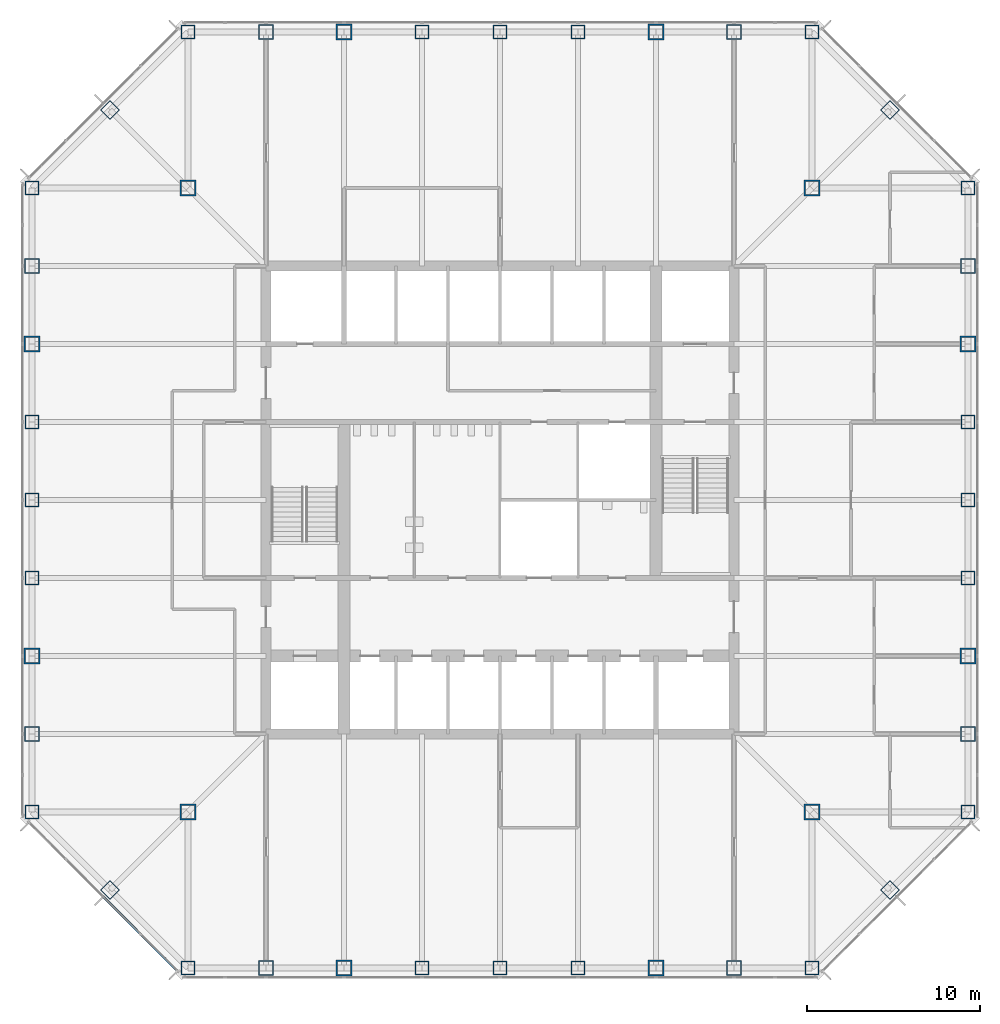
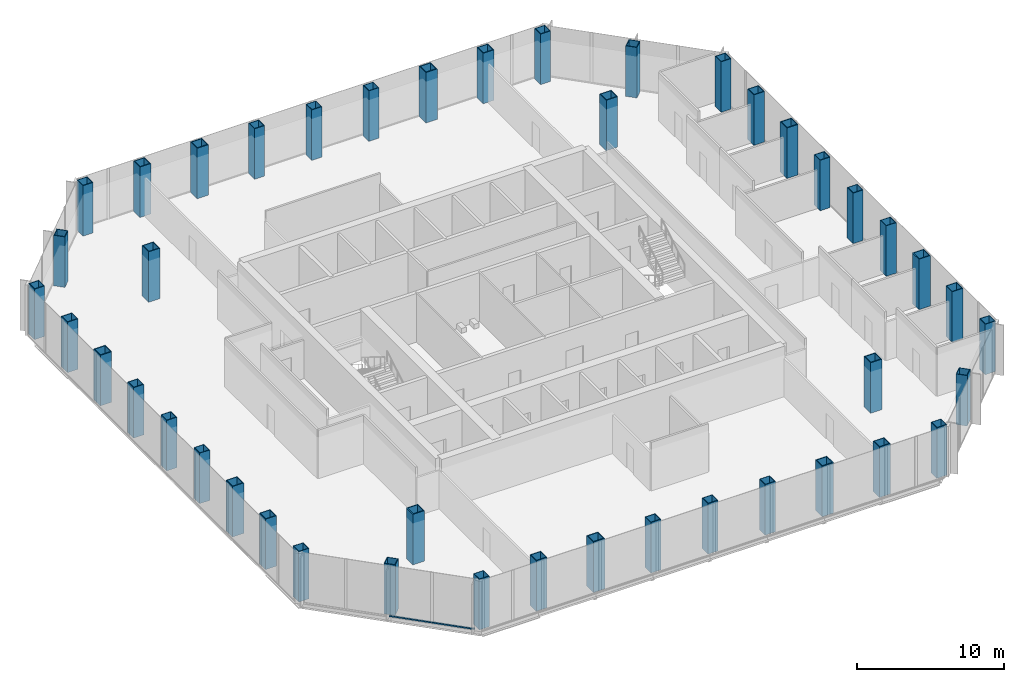
# One storey, part 1 of 12: 44 columns, 2 members, 1 element without a shape of its own.
"""IFC4 building model written with IfcOpenShell, lengths in metres."""

from ifc_helpers import new_model, si_unit, direction, frame, origin, origin_2d, place, context, subcontext, project, spatial, rectangle, hollow_rectangle, extrude, material, material_profile, profile_set, type_object, element, aggregate, save


model = new_model("IFC4")

# Units and contexts
model_context = context("Model", 3, precision=1e-05, world=origin(), true_north=direction((0.0, 1.0)))
body_context = subcontext(model_context, "Body", "Model", "MODEL_VIEW")
ifc_project = project(units=[si_unit("LENGTHUNIT", "METRE"), si_unit("AREAUNIT", "SQUARE_METRE"), si_unit("VOLUMEUNIT", "CUBIC_METRE"), si_unit("PLANEANGLEUNIT", "RADIAN"), si_unit("MASSUNIT", "GRAM", prefix="KILO")], contexts=[model_context])

# Site, building, storey
site_placement = place(None, origin())
site = spatial("IfcSite", under=ifc_project, at=site_placement, CompositionType="ELEMENT")
building_placement = place(site_placement, origin())
building = spatial("IfcBuilding", under=site, at=building_placement, Name="Corais Broadcast Tower", CompositionType="ELEMENT")
storey_placement = place(building_placement, frame((0.0, 0.0, 75.199951171875)))
storey = spatial("IfcBuildingStorey", under=building, at=storey_placement, Name="L16", CompositionType="ELEMENT", Elevation=75.199951171875)

# Columns
ifc_material_1 = material(Name="Steel ASTM A572 Grade 50", Category="steel")
ifc_material_profile_1 = material_profile(ifc_material_1, hollow_rectangle(XDim=0.800048828125, YDim=0.800048828125, WallThickness=0.044921875, at=origin_2d()), Name="BOX 800x800x45")
ifc_profile_set_1 = profile_set([ifc_material_profile_1], Name="Steel ASTM A572 Grade 50")
column_type_1 = type_object("IfcColumnType", Name="Column BOX 800x800x45", PredefinedType="COLUMN", material=ifc_profile_set_1)
for number, where, z_axis, x_axis, name in (
    (1, (9.0, 0.0, 0.0), (0.0, 0.0, 1.0), (1.0, 0.0, 0.0), "C3 A/5"),
    (2, (22.5, 0.0, 0.0), (0.0, 0.0, 1.0), (1.0, 0.0, 0.0), "C3 A/8"),
    (3, (27.0, 0.0, 0.0), (0.0, 0.0, 1.0), (1.0, 0.0, 0.0), "C3 A/9"),
    (4, (31.5, 0.0, 0.0), (0.0, 0.0, 1.0), (1.0, 0.0, 0.0), "C3 A/10"),
    (5, (45.0, 0.0, 0.0), (0.0, 0.0, 1.0), (1.0, 0.0, 0.0), "C3 A/13"),
    (6, (54.0, 9.0, 0.0), (0.0, 0.0, 1.0), (1.0, 0.0, 0.0), "C3 C/15"),
    (7, (54.0, 22.5, 0.0), (0.0, 0.0, 1.0), (1.0, 0.0, 0.0), "C3 F/15"),
    (8, (54.0, 27.0, 0.0), (0.0, 0.0, 1.0), (1.0, 0.0, 0.0), "C3 G/15"),
    (9, (54.0, 31.5, 0.0), (0.0, 0.0, 1.0), (1.0, 0.0, 0.0), "C3 H/15"),
    (10, (54.0, 45.0, 0.0), (0.0, 0.0, 1.0), (1.0, 0.0, 0.0), "C3 L/15"),
    (11, (45.0, 54.0, 0.0), (0.0, 0.0, 1.0), (1.0, 0.0, 0.0), "C3 N/13"),
    (12, (31.5, 54.0, 0.0), (0.0, 0.0, 1.0), (1.0, 0.0, 0.0), "C3 N/10"),
    (13, (27.0, 54.0, 0.0), (0.0, 0.0, 1.0), (1.0, 0.0, 0.0), "C3 N/9"),
    (14, (22.5, 54.0, 0.0), (0.0, 0.0, 1.0), (1.0, 0.0, 0.0), "C3 N/8"),
    (15, (9.0, 54.0, 0.0), (0.0, 0.0, 1.0), (1.0, 0.0, 0.0), "C3 N/5"),
    (16, (0.0, 45.0, 0.0), (0.0, 0.0, 1.0), (1.0, 0.0, 0.0), "C3 L/3"),
    (17, (0.0, 31.5, 0.0), (0.0, 0.0, 1.0), (1.0, 0.0, 0.0), "C3 H/3"),
    (18, (0.0, 27.0, 0.0), (0.0, 0.0, 1.0), (1.0, 0.0, 0.0), "C3 G/3"),
    (19, (0.0, 22.5, 0.0), (0.0, 0.0, 1.0), (1.0, 0.0, 0.0), "C3 F/3"),
    (20, (0.0, 9.0, 0.0), (0.0, 0.0, 1.0), (1.0, 0.0, 0.0), "C3 C/3"),
    (21, (4.5, 4.5, 0.0), (0.0, 0.0, 1.0), (0.707106781187, 0.707106781187, 0.0), "C3 B/4"),
    (22, (49.5, 4.5, 0.0), (0.0, 0.0, 1.0), (0.707106781187, 0.707106781187, 0.0), "C3 B/14"),
    (23, (49.5, 49.5, 0.0), (0.0, 0.0, 1.0), (0.707106781187, 0.707106781187, 0.0), "C3 M/14"),
    (24, (4.5, 49.5, 0.0), (0.0, 0.0, 1.0), (0.707106781187, 0.707106781187, 0.0), "C3 M/4"),
):
    element("IfcColumn", number, at=place(storey_placement, frame(where, z_axis=z_axis, x_axis=x_axis)), inside=storey, type_object=column_type_1, Name=name, PredefinedType="COLUMN", context=body_context, shape_type="SweptSolid", body=[
        extrude(hollow_rectangle(XDim=0.800048828125, YDim=0.800048828125, WallThickness=0.044921875, at=origin_2d()), origin(), (0.0, 0.0, 1.0), 4.199951171875),
    ])
ifc_material_2 = material(Name="Steel ASTM A572 Grade 50", Category="steel")
ifc_material_profile_2 = material_profile(ifc_material_2, hollow_rectangle(XDim=0.85009765625, YDim=0.85009765625, WallThickness=0.050048828125, at=origin_2d()), Name="BOX 850x850x50")
ifc_profile_set_2 = profile_set([ifc_material_profile_2], Name="Steel ASTM A572 Grade 50")
column_type_2 = type_object("IfcColumnType", Name="Column BOX 850x850x50", PredefinedType="COLUMN", material=ifc_profile_set_2)
for number, where, z_axis, x_axis, name in (
    (25, (13.5, 0.0, 0.0), (0.0, 0.0, 1.0), (1.0, 0.0, 0.0), "C1 A/6"),
    (26, (40.5, 0.0, 0.0), (0.0, 0.0, 1.0), (1.0, 0.0, 0.0), "C1 A/12"),
    (27, (54.0, 13.5, 0.0), (0.0, 0.0, 1.0), (1.0, 0.0, 0.0), "C1 D/15"),
    (28, (54.0, 40.5, 0.0), (0.0, 0.0, 1.0), (1.0, 0.0, 0.0), "C1 K/15"),
    (29, (40.5, 54.0, 0.0), (0.0, 0.0, 1.0), (1.0, 0.0, 0.0), "C1 N/12"),
    (30, (13.5, 54.0, 0.0), (0.0, 0.0, 1.0), (1.0, 0.0, 0.0), "C1 N/6"),
    (31, (0.0, 40.5, 0.0), (0.0, 0.0, 1.0), (1.0, 0.0, 0.0), "C1 K/3"),
    (32, (0.0, 13.5, 0.0), (0.0, 0.0, 1.0), (1.0, 0.0, 0.0), "C1 D/3"),
):
    element("IfcColumn", number, at=place(storey_placement, frame(where, z_axis=z_axis, x_axis=x_axis)), inside=storey, type_object=column_type_2, Name=name, PredefinedType="COLUMN", context=body_context, shape_type="SweptSolid", body=[
        extrude(hollow_rectangle(XDim=0.85009765625, YDim=0.85009765625, WallThickness=0.050048828125, at=origin_2d()), origin(), (0.0, 0.0, 1.0), 4.199951171875),
    ])
ifc_material_3 = material(Name="Steel ASTM A572 Grade 50", Category="steel")
ifc_material_profile_3 = material_profile(ifc_material_3, hollow_rectangle(XDim=0.89990234375, YDim=0.89990234375, WallThickness=0.06298828125, at=origin_2d()), Name="BOX 900x900x63")
ifc_profile_set_3 = profile_set([ifc_material_profile_3], Name="Steel ASTM A572 Grade 50")
column_type_3 = type_object("IfcColumnType", Name="Column BOX 900x900x63", PredefinedType="COLUMN", material=ifc_profile_set_3)
for number, where, z_axis, x_axis, name in (
    (33, (18.0, 0.0, 0.0), (0.0, 0.0, 1.0), (1.0, 0.0, 0.0), "C2 A/7"),
    (34, (36.0, 0.0, 0.0), (0.0, 0.0, 1.0), (1.0, 0.0, 0.0), "C2 A/11"),
    (35, (54.0, 18.0, 0.0), (0.0, 0.0, 1.0), (1.0, 0.0, 0.0), "C2 E/15"),
    (36, (54.0, 36.0, 0.0), (0.0, 0.0, 1.0), (1.0, 0.0, 0.0), "C2 J/15"),
    (37, (36.0, 54.0, 0.0), (0.0, 0.0, 1.0), (1.0, 0.0, 0.0), "C2 N/11"),
    (38, (18.0, 54.0, 0.0), (0.0, 0.0, 1.0), (1.0, 0.0, 0.0), "C2 N/7"),
    (39, (0.0, 36.0, 0.0), (0.0, 0.0, 1.0), (1.0, 0.0, 0.0), "C2 J/3"),
    (40, (0.0, 18.0, 0.0), (0.0, 0.0, 1.0), (1.0, 0.0, 0.0), "C2 E/3"),
    (41, (9.0, 9.0, 0.0), (0.0, 0.0, 1.0), (1.0, 0.0, 0.0), "C2 C/5"),
    (42, (45.0, 9.0, 0.0), (0.0, 0.0, 1.0), (1.0, 0.0, 0.0), "C2 C/13"),
    (43, (45.0, 45.0, 0.0), (0.0, 0.0, 1.0), (1.0, 0.0, 0.0), "C2 L/13"),
    (44, (9.0, 45.0, 0.0), (0.0, 0.0, 1.0), (1.0, 0.0, 0.0), "C2 L/5"),
):
    element("IfcColumn", number, at=place(storey_placement, frame(where, z_axis=z_axis, x_axis=x_axis)), inside=storey, type_object=column_type_3, Name=name, PredefinedType="COLUMN", context=body_context, shape_type="SweptSolid", body=[
        extrude(hollow_rectangle(XDim=0.89990234375, YDim=0.89990234375, WallThickness=0.06298828125, at=origin_2d()), origin(), (0.0, 0.0, 1.0), 4.199951171875),
    ])

# Curtain wall, members
ifc_material_4 = material(Name="Aluminium and glass", Category="aluminium")
curtain_wall_type = type_object("IfcCurtainWallType", Name="Unitised fritted curtain wall CW1", PredefinedType="NOTDEFINED", material=ifc_material_4)
curtain_wall_placement = place(storey_placement, origin())
curtain_wall = element("IfcCurtainWall", 45, at=curtain_wall_placement, inside=storey, type_object=curtain_wall_type, Name="CW1 curtain wall L16 1", PredefinedType="NOTDEFINED")
ifc_material_5 = material(Name="Aluminium 6063-T6", Category="aluminium")
ifc_material_profile_4 = material_profile(ifc_material_5, rectangle(XDim=0.139892578125, YDim=0.06494140625, at=origin_2d()), Name="Transom CW1 65x140")
ifc_profile_set_4 = profile_set([ifc_material_profile_4], Name="Aluminium 6063-T6")
member_type = type_object("IfcMemberType", Name="Transom CW1 65x140", PredefinedType="USERDEFINED", material=ifc_profile_set_4)
member_1_placement = place(storey_placement, frame((8.37255859375, -0.150390625, 0.032470703125), z_axis=(-0.707106781187, 0.707106781187, 0.0), x_axis=(-0.707106781187, -0.707106781187, 0.0)))
member_1 = element("IfcMember", 46, at=member_1_placement, type_object=member_type, Name="CW1 transom 1.1", ObjectType="TRANSOM", PredefinedType="USERDEFINED", context=body_context, shape_type="SweptSolid", body=[
    extrude(rectangle(XDim=0.139892578125, YDim=0.06494140625, at=origin_2d()), origin(), (0.0, 0.0, 1.0), 2.9482421875),
])
member_2_placement = place(storey_placement, frame((6.241943359375, 1.980224609375, 0.032470703125), z_axis=(-0.707106781187, 0.707106781187, 0.0), x_axis=(-0.707106781187, -0.707106781187, 0.0)))
member_2 = element("IfcMember", 47, at=member_2_placement, type_object=member_type, Name="CW1 transom 2.1", ObjectType="TRANSOM", PredefinedType="USERDEFINED", context=body_context, shape_type="SweptSolid", body=[
    extrude(rectangle(XDim=0.139892578125, YDim=0.06494140625, at=origin_2d()), origin(), (0.0, 0.0, 1.0), 2.98095703125),
])
aggregate(curtain_wall, [member_1, member_2])

save(model, "model.ifc")
